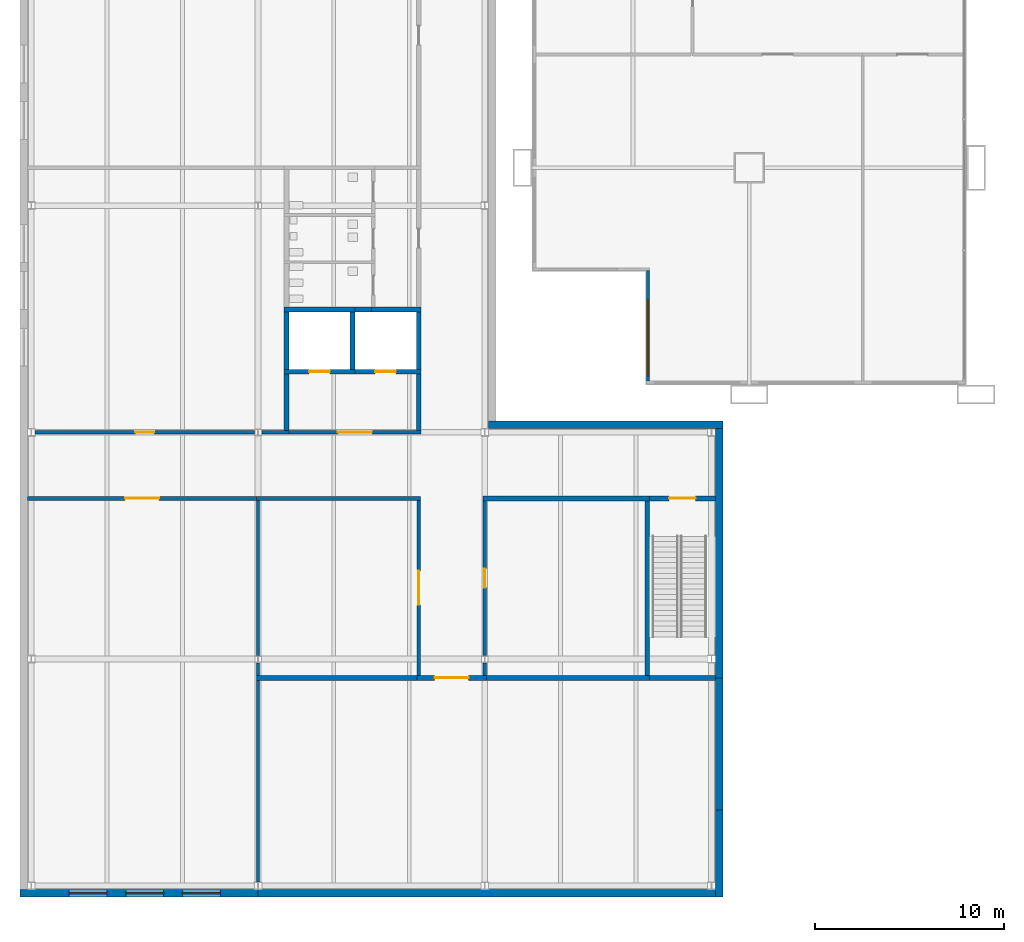
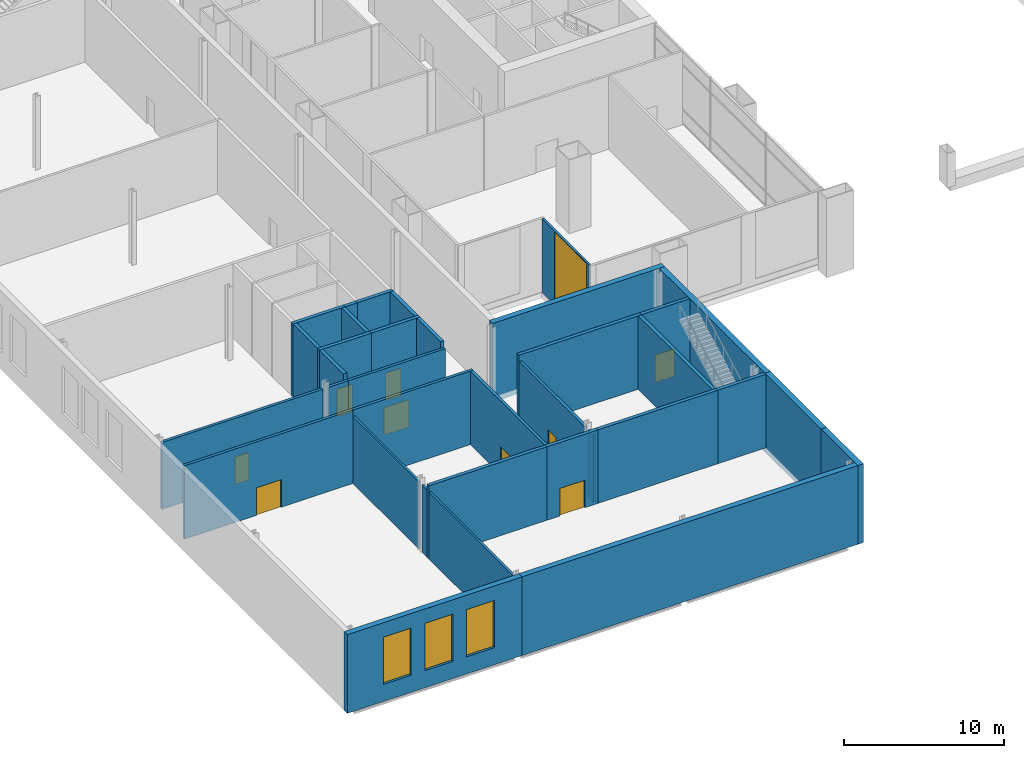
# One storey, part 16 of 25: 35 walls, 9 doors, 4 windows, 13 openings.
"""IFC4 building model written with IfcOpenShell, lengths in metres."""

from ifc_helpers import new_model, si_unit, direction, frame, frame_2d, origin, place, context, subcontext, project, spatial, rectangle, extrude, material, layer, layer_set, type_object, element, fill, save


model = new_model("IFC4")

# Units and contexts
model_context = context("Model", 3, precision=1e-05, world=origin(), true_north=direction((0.0, 1.0)))
body_context = subcontext(model_context, "Body", "Model", "MODEL_VIEW")
ifc_project = project(units=[si_unit("LENGTHUNIT", "METRE"), si_unit("AREAUNIT", "SQUARE_METRE"), si_unit("VOLUMEUNIT", "CUBIC_METRE"), si_unit("PLANEANGLEUNIT", "RADIAN"), si_unit("MASSUNIT", "GRAM", prefix="KILO")], contexts=[model_context])

# Site, building, storey
site_placement = place(None, origin())
site = spatial("IfcSite", under=ifc_project, at=site_placement, CompositionType="ELEMENT")
building_placement = place(site_placement, origin())
building = spatial("IfcBuilding", under=site, at=building_placement, Name="Kitamizu Gate Tower and Museum", CompositionType="ELEMENT")
storey_placement = place(building_placement, frame((0.0, 0.0, 18.0)))
storey = spatial("IfcBuildingStorey", under=building, at=storey_placement, Name="L03", CompositionType="ELEMENT", Elevation=18.0)

# Wall
ifc_material_1 = material(Name="Concrete Fc30", Category="concrete")
ifc_layer_1 = layer(ifc_material_1, 0.25)
ifc_layer_set_1 = layer_set([ifc_layer_1], Name="Concrete Fc30")
wall_type_1 = type_object("IfcWallType", Name="Museum RC core wall 250", PredefinedType="SHEAR", material=ifc_layer_set_1)
wall_1_placement = place(storey_placement, frame((-5.5, 1.324951171875, 0.0), z_axis=(0.0, 0.0, 1.0), x_axis=(0.0, 1.0, 0.0)))
element("IfcWall", 1, at=wall_1_placement, inside=storey, type_object=wall_type_1, Name="Core wall L03.13.1", PredefinedType="SHEAR", context=body_context, shape_type="SweptSolid", body=[
    extrude(rectangle(XDim=3.050048828125, YDim=0.25, at=frame_2d((1.52490234375, 0.0))), origin(), (0.0, 0.0, 1.0), 5.60009765625),
])

# Wall, opening, door
wall_2_placement = place(storey_placement, frame((6.72509765625, -5.5, 0.0), z_axis=(0.0, 0.0, 1.0), x_axis=(1.0, 0.0, 0.0)))
wall_2 = element("IfcWall", 2, at=wall_2_placement, inside=storey, type_object=wall_type_1, Name="Core wall L03.16.1", PredefinedType="SHEAR", context=body_context, shape_type="SweptSolid", body=[
    extrude(rectangle(XDim=3.474853515625, YDim=0.25, at=frame_2d((1.7373046875, 0.0))), origin(), (0.0, 0.0, 1.0), 5.60009765625),
])
opening_1_placement = place(wall_2_placement, frame((1.037109375, 0.0, 0.0)))
opening_1 = element("IfcOpeningElement", 3, at=opening_1_placement, cuts=wall_2, Name="Opening MUS-L03-001", PredefinedType="OPENING", context=body_context, shape_type="SweptSolid", body=[
    extrude(rectangle(XDim=1.39990234375, YDim=2.10009765625, at=frame_2d((0.699951171875, 1.050048828125))), frame((0.0, 0.135009765625, 0.0), z_axis=(0.0, -1.0, 0.0), x_axis=(1.0, 0.0, 0.0)), (0.0, 0.0, 1.0), 0.27001953125),
])
ifc_material_2 = material(Name="Timber leaf in hollow metal frame", Category="wood")
door_type_1 = type_object("IfcDoorType", Name="Museum door 1400x2100 FD60", OperationType="DOUBLE_DOOR_SINGLE_SWING", PredefinedType="DOOR", material=ifc_material_2)
door_1_placement = place(opening_1_placement, origin())
door_1 = element("IfcDoor", 4, at=door_1_placement, inside=storey, type_object=door_type_1, Name="Door Stair S", OperationType="DOUBLE_DOOR_SINGLE_SWING", OverallHeight=2.10009765625, OverallWidth=1.39990234375, PredefinedType="DOOR", context=body_context, shape_type="SweptSolid", body=[
    extrude(rectangle(XDim=1.39990234375, YDim=2.10009765625, at=frame_2d((0.699951171875, 1.050048828125))), frame((0.0, 0.02490234375, 0.0), z_axis=(0.0, -1.0, 0.0), x_axis=(1.0, 0.0, 0.0)), (0.0, 0.0, 1.0), 0.050048828125),
])
fill(opening_1, door_1)

wall_3_placement = place(storey_placement, frame((-12.625, 1.199951171875, 0.0), z_axis=(0.0, 0.0, 1.0), x_axis=(1.0, 0.0, 0.0)))
wall_3 = element("IfcWall", 5, at=wall_3_placement, inside=storey, type_object=wall_type_1, Name="Core wall L03.24.1", PredefinedType="SHEAR", context=body_context, shape_type="SweptSolid", body=[
    extrude(rectangle(XDim=3.75, YDim=0.25, at=frame_2d((1.875, 0.0))), origin(), (0.0, 0.0, 1.0), 5.60009765625),
])
opening_2_placement = place(wall_3_placement, frame((1.324951171875, 0.0, 0.0)))
opening_2 = element("IfcOpeningElement", 6, at=opening_2_placement, cuts=wall_3, Name="Opening MUS-L03-004", PredefinedType="OPENING", context=body_context, shape_type="SweptSolid", body=[
    extrude(rectangle(XDim=1.10009765625, YDim=2.10009765625, at=frame_2d((0.550048828125, 1.050048828125))), frame((0.0, 0.135009765625, 0.0), z_axis=(0.0, -1.0, 0.0), x_axis=(1.0, 0.0, 0.0)), (0.0, 0.0, 1.0), 0.27001953125),
])
ifc_material_3 = material(Name="Stainless steel SUS304", Category="steel")
door_type_2 = type_object("IfcDoorType", Name="Museum lift landing door 1100x2100", OperationType="SLIDING_TO_LEFT", PredefinedType="DOOR", material=ifc_material_3)
door_2_placement = place(opening_2_placement, origin())
door_2 = element("IfcDoor", 7, at=door_2_placement, inside=storey, type_object=door_type_2, Name="Lift landing door", OperationType="SLIDING_TO_LEFT", OverallHeight=2.10009765625, OverallWidth=1.10009765625, PredefinedType="DOOR", context=body_context, shape_type="SweptSolid", body=[
    extrude(rectangle(XDim=1.10009765625, YDim=2.10009765625, at=frame_2d((0.550048828125, 1.050048828125))), frame((0.0, 0.02490234375, 0.0), z_axis=(0.0, -1.0, 0.0), x_axis=(1.0, 0.0, 0.0)), (0.0, 0.0, 1.0), 0.050048828125),
])
fill(opening_2, door_2)

wall_4_placement = place(storey_placement, frame((-8.875, 1.199951171875, 0.0), z_axis=(0.0, 0.0, 1.0), x_axis=(1.0, 0.0, 0.0)))
wall_4 = element("IfcWall", 8, at=wall_4_placement, inside=storey, type_object=wall_type_1, Name="Core wall L03.25.1", PredefinedType="SHEAR", context=body_context, shape_type="SweptSolid", body=[
    extrude(rectangle(XDim=3.5, YDim=0.25, at=frame_2d((1.75, 0.0))), origin(), (0.0, 0.0, 1.0), 5.60009765625),
])
opening_3_placement = place(wall_4_placement, frame((1.074951171875, 0.0, 0.0)))
opening_3 = element("IfcOpeningElement", 9, at=opening_3_placement, cuts=wall_4, Name="Opening MUS-L03-005", PredefinedType="OPENING", context=body_context, shape_type="SweptSolid", body=[
    extrude(rectangle(XDim=1.10009765625, YDim=2.10009765625, at=frame_2d((0.550048828125, 1.050048828125))), frame((0.0, 0.135009765625, 0.0), z_axis=(0.0, -1.0, 0.0), x_axis=(1.0, 0.0, 0.0)), (0.0, 0.0, 1.0), 0.27001953125),
])
door_3_placement = place(opening_3_placement, origin())
door_3 = element("IfcDoor", 10, at=door_3_placement, inside=storey, type_object=door_type_2, Name="Lift landing door", OperationType="SLIDING_TO_LEFT", OverallHeight=2.10009765625, OverallWidth=1.10009765625, PredefinedType="DOOR", context=body_context, shape_type="SweptSolid", body=[
    extrude(rectangle(XDim=1.10009765625, YDim=2.10009765625, at=frame_2d((0.550048828125, 1.050048828125))), frame((0.0, 0.02490234375, 0.0), z_axis=(0.0, -1.0, 0.0), x_axis=(1.0, 0.0, 0.0)), (0.0, 0.0, 1.0), 0.050048828125),
])
fill(opening_3, door_3)

# Walls
for number, where, z_axis, x_axis, name in (
    (11, (-12.5, 1.324951171875, 0.0), (0.0, 0.0, 1.0), (0.0, 1.0, 0.0), "Core wall L03.28.1"),
    (12, (-9.0, 1.324951171875, 0.0), (0.0, 0.0, 1.0), (0.0, 1.0, 0.0), "Core wall L03.29.1"),
):
    element("IfcWall", number, at=place(storey_placement, frame(where, z_axis=z_axis, x_axis=x_axis)), inside=storey, type_object=wall_type_1, Name=name, PredefinedType="SHEAR", context=body_context, shape_type="SweptSolid", body=[
        extrude(rectangle(XDim=3.050048828125, YDim=0.25, at=frame_2d((1.52490234375, 0.0))), origin(), (0.0, 0.0, 1.0), 5.60009765625),
    ])
wall_5_placement = place(storey_placement, frame((-12.625, 4.5, 0.0), z_axis=(0.0, 0.0, 1.0), x_axis=(1.0, 0.0, 0.0)))
element("IfcWall", 13, at=wall_5_placement, inside=storey, type_object=wall_type_1, Name="Core wall L03.30.1", PredefinedType="SHEAR", context=body_context, shape_type="SweptSolid", body=[
    extrude(rectangle(XDim=3.75, YDim=0.25, at=frame_2d((1.875, 0.0))), origin(), (0.0, 0.0, 1.0), 5.60009765625),
])
wall_6_placement = place(storey_placement, frame((-8.0, 4.5, 0.0), z_axis=(0.0, 0.0, 1.0), x_axis=(1.0, 0.0, 0.0)))
element("IfcWall", 14, at=wall_6_placement, inside=storey, type_object=wall_type_1, Name="Core wall L03.31.1", PredefinedType="SHEAR", context=body_context, shape_type="SweptSolid", body=[
    extrude(rectangle(XDim=2.625, YDim=0.25, at=frame_2d((1.3125, 0.0))), origin(), (0.0, 0.0, 1.0), 5.60009765625),
])
wall_7_placement = place(storey_placement, frame((-8.875, 4.5, 0.0), z_axis=(0.0, 0.0, 1.0), x_axis=(1.0, 0.0, 0.0)))
element("IfcWall", 15, at=wall_7_placement, inside=storey, type_object=wall_type_1, Name="Core wall L03.32.1", PredefinedType="SHEAR", context=body_context, shape_type="SweptSolid", body=[
    extrude(rectangle(XDim=0.875, YDim=0.25, at=frame_2d((0.4375, 0.0))), origin(), (0.0, 0.0, 1.0), 5.60009765625),
])
wall_8_placement = place(storey_placement, frame((6.72509765625, -15.0, 0.0), z_axis=(0.0, 0.0, 1.0), x_axis=(1.0, 0.0, 0.0)))
element("IfcWall", 16, at=wall_8_placement, inside=storey, type_object=wall_type_1, Name="Core wall L03.35.1", PredefinedType="SHEAR", context=body_context, shape_type="SweptSolid", body=[
    extrude(rectangle(XDim=3.474853515625, YDim=0.25, at=frame_2d((1.7373046875, 0.0))), origin(), (0.0, 0.0, 1.0), 5.60009765625),
])
wall_9_placement = place(storey_placement, frame((6.60009765625, -14.875, 0.0), z_axis=(0.0, 0.0, 1.0), x_axis=(0.0, 1.0, 0.0)))
element("IfcWall", 17, at=wall_9_placement, inside=storey, type_object=wall_type_1, Name="Core wall L03.36.1", PredefinedType="SHEAR", context=body_context, shape_type="SweptSolid", body=[
    extrude(rectangle(XDim=9.25, YDim=0.25, at=frame_2d((4.625, 0.0))), origin(), (0.0, 0.0, 1.0), 5.60009765625),
])
ifc_material_4 = material(Name="Concrete Fc30 precast", Category="concrete")
ifc_layer_2 = layer(ifc_material_4, 0.39990234375)
ifc_layer_set_2 = layer_set([ifc_layer_2], Name="Concrete Fc30 precast")
wall_type_2 = type_object("IfcWallType", Name="Museum cladding wall 400", PredefinedType="STANDARD", material=ifc_layer_set_2)
wall_10_placement = place(storey_placement, frame((-14.0, -26.39990234375, -0.39990234375), z_axis=(0.0, 0.0, 1.0), x_axis=(1.0, 0.0, 0.0)))
element("IfcWall", 18, at=wall_10_placement, inside=storey, type_object=wall_type_2, Name="Cladding wall L03.1", PredefinedType="STANDARD", context=body_context, shape_type="SweptSolid", body=[
    extrude(rectangle(XDim=24.199951171875, YDim=0.39990234375, at=frame_2d((12.10009765625, 0.0))), origin(), (0.0, 0.0, 1.0), 6.0),
])
wall_11_placement = place(storey_placement, frame((10.39990234375, -22.0, -0.39990234375), z_axis=(0.0, 0.0, 1.0), x_axis=(0.0, 1.0, 0.0)))
element("IfcWall", 19, at=wall_11_placement, inside=storey, type_object=wall_type_2, Name="Cladding wall L03.2", PredefinedType="STANDARD", context=body_context, shape_type="SweptSolid", body=[
    extrude(rectangle(XDim=7.0, YDim=0.39990234375, at=frame_2d((3.5, 0.0))), origin(), (0.0, 0.0, 1.0), 6.0),
])

# Wall, openings, windows
wall_12_placement = place(storey_placement, frame((-26.60009765625, -26.39990234375, -0.39990234375), z_axis=(0.0, 0.0, 1.0), x_axis=(1.0, 0.0, 0.0)))
wall_12 = element("IfcWall", 20, at=wall_12_placement, inside=storey, type_object=wall_type_2, Name="Cladding wall L03.3", PredefinedType="STANDARD", context=body_context, shape_type="SweptSolid", body=[
    extrude(rectangle(XDim=12.60009765625, YDim=0.39990234375, at=frame_2d((6.300048828125, 0.0))), origin(), (0.0, 0.0, 1.0), 6.0),
])
opening_4_placement = place(wall_12_placement, frame((2.60009765625, 0.0, 1.300048828125)))
opening_4 = element("IfcOpeningElement", 21, at=opening_4_placement, cuts=wall_12, Name="Opening MWN1", PredefinedType="OPENING", context=body_context, shape_type="SweptSolid", body=[
    extrude(rectangle(XDim=2.0, YDim=3.60009765625, at=frame_2d((1.0, 1.800048828125))), frame((0.0, 0.2099609375, 0.0), z_axis=(0.0, -1.0, 0.0), x_axis=(1.0, 0.0, 0.0)), (0.0, 0.0, 1.0), 0.419921875),
])
opening_5_placement = place(wall_12_placement, frame((5.60009765625, 0.0, 1.300048828125)))
opening_5 = element("IfcOpeningElement", 22, at=opening_5_placement, cuts=wall_12, Name="Opening MWN1", PredefinedType="OPENING", context=body_context, shape_type="SweptSolid", body=[
    extrude(rectangle(XDim=2.0, YDim=3.60009765625, at=frame_2d((1.0, 1.800048828125))), frame((0.0, 0.2099609375, 0.0), z_axis=(0.0, -1.0, 0.0), x_axis=(1.0, 0.0, 0.0)), (0.0, 0.0, 1.0), 0.419921875),
])
opening_6_placement = place(wall_12_placement, frame((8.60009765625, 0.0, 1.300048828125)))
opening_6 = element("IfcOpeningElement", 23, at=opening_6_placement, cuts=wall_12, Name="Opening MWN1", PredefinedType="OPENING", context=body_context, shape_type="SweptSolid", body=[
    extrude(rectangle(XDim=2.0, YDim=3.60009765625, at=frame_2d((1.0, 1.800048828125))), frame((0.0, 0.2099609375, 0.0), z_axis=(0.0, -1.0, 0.0), x_axis=(1.0, 0.0, 0.0)), (0.0, 0.0, 1.0), 0.419921875),
])
ifc_material_5 = material(Name="Bronze anodised aluminium frame, tinted triple glazing", Category="aluminium")
window_type_1 = type_object("IfcWindowType", Name="Museum window 2000x3600", PartitioningType="SINGLE_PANEL", PredefinedType="WINDOW", material=ifc_material_5)
window_1_placement = place(opening_4_placement, origin())
window_1 = element("IfcWindow", 24, at=window_1_placement, inside=storey, type_object=window_type_1, Name="Window", OverallHeight=3.60009765625, OverallWidth=2.0, PartitioningType="SINGLE_PANEL", PredefinedType="WINDOW", context=body_context, shape_type="SweptSolid", body=[
    extrude(rectangle(XDim=2.0, YDim=3.60009765625, at=frame_2d((1.0, 1.800048828125))), frame((0.0, 0.030029296875, 0.0), z_axis=(0.0, -1.0, 0.0), x_axis=(1.0, 0.0, 0.0)), (0.0, 0.0, 1.0), 0.06005859375),
])
fill(opening_4, window_1)
window_2_placement = place(opening_5_placement, origin())
window_2 = element("IfcWindow", 25, at=window_2_placement, inside=storey, type_object=window_type_1, Name="Window", OverallHeight=3.60009765625, OverallWidth=2.0, PartitioningType="SINGLE_PANEL", PredefinedType="WINDOW", context=body_context, shape_type="SweptSolid", body=[
    extrude(rectangle(XDim=2.0, YDim=3.60009765625, at=frame_2d((1.0, 1.800048828125))), frame((0.0, 0.030029296875, 0.0), z_axis=(0.0, -1.0, 0.0), x_axis=(1.0, 0.0, 0.0)), (0.0, 0.0, 1.0), 0.06005859375),
])
fill(opening_5, window_2)
window_3_placement = place(opening_6_placement, origin())
window_3 = element("IfcWindow", 26, at=window_3_placement, inside=storey, type_object=window_type_1, Name="Window", OverallHeight=3.60009765625, OverallWidth=2.0, PartitioningType="SINGLE_PANEL", PredefinedType="WINDOW", context=body_context, shape_type="SweptSolid", body=[
    extrude(rectangle(XDim=2.0, YDim=3.60009765625, at=frame_2d((1.0, 1.800048828125))), frame((0.0, 0.030029296875, 0.0), z_axis=(0.0, -1.0, 0.0), x_axis=(1.0, 0.0, 0.0)), (0.0, 0.0, 1.0), 0.06005859375),
])
fill(opening_6, window_3)

# Walls
wall_13_placement = place(storey_placement, frame((10.39990234375, -26.60009765625, -0.39990234375), z_axis=(0.0, 0.0, 1.0), x_axis=(0.0, 1.0, 0.0)))
element("IfcWall", 27, at=wall_13_placement, inside=storey, type_object=wall_type_2, Name="Cladding wall L03.4", PredefinedType="STANDARD", context=body_context, shape_type="SweptSolid", body=[
    extrude(rectangle(XDim=4.60009765625, YDim=0.39990234375, at=frame_2d((2.300048828125, 0.0))), origin(), (0.0, 0.0, 1.0), 6.0),
])
wall_14_placement = place(storey_placement, frame((10.39990234375, -15.0, -0.39990234375), z_axis=(0.0, 0.0, 1.0), x_axis=(0.0, 1.0, 0.0)))
element("IfcWall", 28, at=wall_14_placement, inside=storey, type_object=wall_type_2, Name="Cladding wall L03.6", PredefinedType="STANDARD", context=body_context, shape_type="SweptSolid", body=[
    extrude(rectangle(XDim=13.199951171875, YDim=0.39990234375, at=frame_2d((6.60009765625, 0.0))), origin(), (0.0, 0.0, 1.0), 6.0),
])
wall_15_placement = place(storey_placement, frame((-1.800048828125, -1.60009765625, -0.39990234375), z_axis=(0.0, 0.0, 1.0), x_axis=(1.0, 0.0, 0.0)))
element("IfcWall", 29, at=wall_15_placement, inside=storey, type_object=wall_type_2, Name="Cladding wall L03.7", PredefinedType="STANDARD", context=body_context, shape_type="SweptSolid", body=[
    extrude(rectangle(XDim=12.400146484375, YDim=0.39990234375, at=frame_2d((6.2001953125, 0.0))), origin(), (0.0, 0.0, 1.0), 6.0),
])

# Wall, opening, door
ifc_material_6 = material(Name="Gypsum board on galvanised stud")
ifc_layer_3 = layer(ifc_material_6, 0.199951171875)
ifc_layer_set_3 = layer_set([ifc_layer_3], Name="Gypsum board on galvanised stud")
wall_type_3 = type_object("IfcWallType", Name="Museum fire rated partition 200", PredefinedType="PARTITIONING", material=ifc_layer_set_3)
wall_16_placement = place(storey_placement, frame((-5.5, -14.875, 0.0), z_axis=(0.0, 0.0, 1.0), x_axis=(0.0, 1.0, 0.0)))
wall_16 = element("IfcWall", 30, at=wall_16_placement, inside=storey, type_object=wall_type_3, Name="Fire-rated partition L03.4.1", PredefinedType="PARTITIONING", context=body_context, shape_type="SweptSolid", body=[
    extrude(rectangle(XDim=9.27490234375, YDim=0.199951171875, at=frame_2d((4.637451171875, 0.0))), origin(), (0.0, 0.0, 1.0), 5.60009765625),
])
opening_7_placement = place(wall_16_placement, frame((3.738037109375, 0.0, 0.0)))
opening_7 = element("IfcOpeningElement", 31, at=opening_7_placement, cuts=wall_16, Name="Opening MUS-L03-012", PredefinedType="OPENING", context=body_context, shape_type="SweptSolid", body=[
    extrude(rectangle(XDim=1.800048828125, YDim=2.10009765625, at=frame_2d((0.89990234375, 1.050048828125))), frame((0.0, 0.10986328125, 0.0), z_axis=(0.0, -1.0, 0.0), x_axis=(1.0, 0.0, 0.0)), (0.0, 0.0, 1.0), 0.219970703125),
])
ifc_material_7 = material(Name="Timber leaf in hollow metal frame", Category="wood")
door_type_3 = type_object("IfcDoorType", Name="Museum door 1800x2100 FD60", OperationType="DOUBLE_DOOR_SINGLE_SWING", PredefinedType="DOOR", material=ifc_material_7)
door_4_placement = place(opening_7_placement, origin())
door_4 = element("IfcDoor", 32, at=door_4_placement, inside=storey, type_object=door_type_3, Name="Door Archive", OperationType="DOUBLE_DOOR_SINGLE_SWING", OverallHeight=2.10009765625, OverallWidth=1.800048828125, PredefinedType="DOOR", context=body_context, shape_type="SweptSolid", body=[
    extrude(rectangle(XDim=1.800048828125, YDim=2.10009765625, at=frame_2d((0.89990234375, 1.050048828125))), frame((0.0, 0.02490234375, 0.0), z_axis=(0.0, -1.0, 0.0), x_axis=(1.0, 0.0, 0.0)), (0.0, 0.0, 1.0), 0.050048828125),
])
fill(opening_7, door_4)

# Wall
wall_17_placement = place(storey_placement, frame((-14.074951171875, -5.5, 0.0), z_axis=(0.0, 0.0, 1.0), x_axis=(1.0, 0.0, 0.0)))
element("IfcWall", 33, at=wall_17_placement, inside=storey, type_object=wall_type_3, Name="Fire-rated partition L03.5.1", PredefinedType="PARTITIONING", context=body_context, shape_type="SweptSolid", body=[
    extrude(rectangle(XDim=8.675048828125, YDim=0.199951171875, at=frame_2d((4.33740234375, 0.0))), origin(), (0.0, 0.0, 1.0), 5.60009765625),
])

# Wall, opening, door
wall_18_placement = place(storey_placement, frame((-25.800048828125, -2.0, 0.0), z_axis=(0.0, 0.0, 1.0), x_axis=(1.0, 0.0, 0.0)))
wall_18 = element("IfcWall", 34, at=wall_18_placement, inside=storey, type_object=wall_type_3, Name="Fire-rated partition L03.6.1", PredefinedType="PARTITIONING", context=body_context, shape_type="SweptSolid", body=[
    extrude(rectangle(XDim=11.60009765625, YDim=0.199951171875, at=frame_2d((5.800048828125, 0.0))), origin(), (0.0, 0.0, 1.0), 5.112060546875),
])
opening_8_placement = place(wall_18_placement, frame((5.300048828125, 0.0, 0.0)))
opening_8 = element("IfcOpeningElement", 35, at=opening_8_placement, cuts=wall_18, Name="Opening MUS-L03-014", PredefinedType="OPENING", context=body_context, shape_type="SweptSolid", body=[
    extrude(rectangle(XDim=1.0, YDim=2.10009765625, at=frame_2d((0.5, 1.050048828125))), frame((0.0, 0.10986328125, 0.0), z_axis=(0.0, -1.0, 0.0), x_axis=(1.0, 0.0, 0.0)), (0.0, 0.0, 1.0), 0.219970703125),
])
ifc_material_8 = material(Name="Timber leaf in hollow metal frame", Category="wood")
door_type_4 = type_object("IfcDoorType", Name="Museum door 1000x2100 FD60", OperationType="NOTDEFINED", PredefinedType="DOOR", material=ifc_material_8)
door_5_placement = place(opening_8_placement, origin())
door_5 = element("IfcDoor", 36, at=door_5_placement, inside=storey, type_object=door_type_4, Name="Door Curatorial office", OperationType="SINGLE_SWING_LEFT", OverallHeight=2.10009765625, OverallWidth=1.0, PredefinedType="DOOR", context=body_context, shape_type="SweptSolid", body=[
    extrude(rectangle(XDim=1.0, YDim=2.10009765625, at=frame_2d((0.5, 1.050048828125))), frame((0.0, 0.02490234375, 0.0), z_axis=(0.0, -1.0, 0.0), x_axis=(1.0, 0.0, 0.0)), (0.0, 0.0, 1.0), 0.050048828125),
])
fill(opening_8, door_5)

# Wall
wall_19_placement = place(storey_placement, frame((-13.800048828125, -2.0, 0.0), z_axis=(0.0, 0.0, 1.0), x_axis=(1.0, 0.0, 0.0)))
element("IfcWall", 37, at=wall_19_placement, inside=storey, type_object=wall_type_3, Name="Fire-rated partition L03.6.2", PredefinedType="PARTITIONING", context=body_context, shape_type="SweptSolid", body=[
    extrude(rectangle(XDim=1.425048828125, YDim=0.199951171875, at=frame_2d((0.71240234375, 0.0))), origin(), (0.0, 0.0, 1.0), 5.112060546875),
])

# Wall, opening, door
wall_20_placement = place(storey_placement, frame((-26.199951171875, -5.5, 0.0), z_axis=(0.0, 0.0, 1.0), x_axis=(1.0, 0.0, 0.0)))
wall_20 = element("IfcWall", 38, at=wall_20_placement, inside=storey, type_object=wall_type_3, Name="Fire-rated partition L03.8.1", PredefinedType="PARTITIONING", context=body_context, shape_type="SweptSolid", body=[
    extrude(rectangle(XDim=12.125, YDim=0.199951171875, at=frame_2d((6.0625, 0.0))), origin(), (0.0, 0.0, 1.0), 5.60009765625),
])
opening_9_placement = place(wall_20_placement, frame((5.162109375, 0.0, 0.0)))
opening_9 = element("IfcOpeningElement", 39, at=opening_9_placement, cuts=wall_20, Name="Opening MUS-L03-011", PredefinedType="OPENING", context=body_context, shape_type="SweptSolid", body=[
    extrude(rectangle(XDim=1.800048828125, YDim=2.10009765625, at=frame_2d((0.89990234375, 1.050048828125))), frame((0.0, 0.10986328125, 0.0), z_axis=(0.0, -1.0, 0.0), x_axis=(1.0, 0.0, 0.0)), (0.0, 0.0, 1.0), 0.219970703125),
])
door_6_placement = place(opening_9_placement, origin())
door_6 = element("IfcDoor", 40, at=door_6_placement, inside=storey, type_object=door_type_3, Name="Door Library reading room", OperationType="DOUBLE_DOOR_SINGLE_SWING", OverallHeight=2.10009765625, OverallWidth=1.800048828125, PredefinedType="DOOR", context=body_context, shape_type="SweptSolid", body=[
    extrude(rectangle(XDim=1.800048828125, YDim=2.10009765625, at=frame_2d((0.89990234375, 1.050048828125))), frame((0.0, 0.02490234375, 0.0), z_axis=(0.0, -1.0, 0.0), x_axis=(1.0, 0.0, 0.0)), (0.0, 0.0, 1.0), 0.050048828125),
])
fill(opening_9, door_6)

wall_21_placement = place(storey_placement, frame((-12.375, -2.0, 0.0), z_axis=(0.0, 0.0, 1.0), x_axis=(1.0, 0.0, 0.0)))
wall_21 = element("IfcWall", 41, at=wall_21_placement, inside=storey, type_object=wall_type_3, Name="Fire-rated partition L03.9.1", PredefinedType="PARTITIONING", context=body_context, shape_type="SweptSolid", body=[
    extrude(rectangle(XDim=7.0, YDim=0.199951171875, at=frame_2d((3.5, 0.0))), origin(), (0.0, 0.0, 1.0), 5.112060546875),
])
opening_10_placement = place(wall_21_placement, frame((2.60009765625, 0.0, 0.0)))
opening_10 = element("IfcOpeningElement", 42, at=opening_10_placement, cuts=wall_21, Name="Opening MUS-L03-003", PredefinedType="OPENING", context=body_context, shape_type="SweptSolid", body=[
    extrude(rectangle(XDim=1.800048828125, YDim=2.10009765625, at=frame_2d((0.89990234375, 1.050048828125))), frame((0.0, 0.10986328125, 0.0), z_axis=(0.0, -1.0, 0.0), x_axis=(1.0, 0.0, 0.0)), (0.0, 0.0, 1.0), 0.219970703125),
])
door_7_placement = place(opening_10_placement, origin())
door_7 = element("IfcDoor", 43, at=door_7_placement, inside=storey, type_object=door_type_3, Name="Door Lift lobby", OperationType="DOUBLE_DOOR_SINGLE_SWING", OverallHeight=2.10009765625, OverallWidth=1.800048828125, PredefinedType="DOOR", context=body_context, shape_type="SweptSolid", body=[
    extrude(rectangle(XDim=1.800048828125, YDim=2.10009765625, at=frame_2d((0.89990234375, 1.050048828125))), frame((0.0, 0.02490234375, 0.0), z_axis=(0.0, -1.0, 0.0), x_axis=(1.0, 0.0, 0.0)), (0.0, 0.0, 1.0), 0.050048828125),
])
fill(opening_10, door_7)

# Wall
wall_22_placement = place(storey_placement, frame((-2.0, -14.875, 0.0), z_axis=(0.0, 0.0, 1.0), x_axis=(0.0, 1.0, 0.0)))
element("IfcWall", 44, at=wall_22_placement, inside=storey, type_object=wall_type_3, Name="Fire-rated partition L03.11.1", PredefinedType="PARTITIONING", context=body_context, shape_type="SweptSolid", body=[
    extrude(rectangle(XDim=0.675048828125, YDim=0.199951171875, at=frame_2d((0.33740234375, 0.0))), origin(), (0.0, 0.0, 1.0), 5.112060546875),
])

# Wall, opening, door
wall_23_placement = place(storey_placement, frame((-2.0, -13.800048828125, 0.0), z_axis=(0.0, 0.0, 1.0), x_axis=(0.0, 1.0, 0.0)))
wall_23 = element("IfcWall", 45, at=wall_23_placement, inside=storey, type_object=wall_type_3, Name="Fire-rated partition L03.11.2", PredefinedType="PARTITIONING", context=body_context, shape_type="SweptSolid", body=[
    extrude(rectangle(XDim=8.175048828125, YDim=0.199951171875, at=frame_2d((4.08740234375, 0.0))), origin(), (0.0, 0.0, 1.0), 5.112060546875),
])
opening_11_placement = place(wall_23_placement, frame((3.587890625, 0.0, 0.0)))
opening_11 = element("IfcOpeningElement", 46, at=opening_11_placement, cuts=wall_23, Name="Opening MUS-L03-013", PredefinedType="OPENING", context=body_context, shape_type="SweptSolid", body=[
    extrude(rectangle(XDim=1.0, YDim=2.10009765625, at=frame_2d((0.5, 1.050048828125))), frame((0.0, 0.10986328125, 0.0), z_axis=(0.0, -1.0, 0.0), x_axis=(1.0, 0.0, 0.0)), (0.0, 0.0, 1.0), 0.219970703125),
])
door_8_placement = place(opening_11_placement, frame((1.0, 0.0, 0.0), x_axis=(-1.0, 0.0, 0.0)))
door_8 = element("IfcDoor", 47, at=door_8_placement, inside=storey, type_object=door_type_4, Name="Door Meeting room", OperationType="SINGLE_SWING_LEFT", OverallHeight=2.10009765625, OverallWidth=1.0, PredefinedType="DOOR", context=body_context, shape_type="SweptSolid", body=[
    extrude(rectangle(XDim=1.0, YDim=2.10009765625, at=frame_2d((0.5, 1.050048828125))), frame((0.0, 0.02490234375, 0.0), z_axis=(0.0, -1.0, 0.0), x_axis=(1.0, 0.0, 0.0)), (0.0, 0.0, 1.0), 0.050048828125),
])
fill(opening_11, door_8)

ifc_material_9 = material(Name="Gypsum board on galvanised stud")
ifc_layer_4 = layer(ifc_material_9, 0.25)
ifc_layer_set_4 = layer_set([ifc_layer_4], Name="Gypsum board on galvanised stud")
wall_type_4 = type_object("IfcWallType", Name="Museum fire rated partition 250", PredefinedType="PARTITIONING", material=ifc_layer_set_4)
wall_24_placement = place(storey_placement, frame((-5.60009765625, -15.0, 0.0), z_axis=(0.0, 0.0, 1.0), x_axis=(1.0, 0.0, 0.0)))
wall_24 = element("IfcWall", 48, at=wall_24_placement, inside=storey, type_object=wall_type_4, Name="Fire-rated partition L03.7.1", PredefinedType="PARTITIONING", context=body_context, shape_type="SweptSolid", body=[
    extrude(rectangle(XDim=3.7001953125, YDim=0.25, at=frame_2d((1.85009765625, 0.0))), origin(), (0.0, 0.0, 1.0), 5.60009765625),
])
opening_12_placement = place(wall_24_placement, frame((0.949951171875, 0.0, 0.0)))
opening_12 = element("IfcOpeningElement", 49, at=opening_12_placement, cuts=wall_24, Name="Opening MUS-L03-010", PredefinedType="OPENING", context=body_context, shape_type="SweptSolid", body=[
    extrude(rectangle(XDim=1.800048828125, YDim=2.10009765625, at=frame_2d((0.89990234375, 1.050048828125))), frame((0.0, 0.135009765625, 0.0), z_axis=(0.0, -1.0, 0.0), x_axis=(1.0, 0.0, 0.0)), (0.0, 0.0, 1.0), 0.27001953125),
])
door_9_placement = place(opening_12_placement, origin())
door_9 = element("IfcDoor", 50, at=door_9_placement, inside=storey, type_object=door_type_3, Name="Door Exhibition gallery 4", OperationType="DOUBLE_DOOR_SINGLE_SWING", OverallHeight=2.10009765625, OverallWidth=1.800048828125, PredefinedType="DOOR", context=body_context, shape_type="SweptSolid", body=[
    extrude(rectangle(XDim=1.800048828125, YDim=2.10009765625, at=frame_2d((0.89990234375, 1.050048828125))), frame((0.0, 0.02490234375, 0.0), z_axis=(0.0, -1.0, 0.0), x_axis=(1.0, 0.0, 0.0)), (0.0, 0.0, 1.0), 0.050048828125),
])
fill(opening_12, door_9)

# Walls
wall_25_placement = place(storey_placement, frame((-5.5, -1.89990234375, 0.0), z_axis=(0.0, 0.0, 1.0), x_axis=(0.0, 1.0, 0.0)))
element("IfcWall", 51, at=wall_25_placement, inside=storey, type_object=wall_type_4, Name="Fire-rated partition L03.10.1", PredefinedType="PARTITIONING", context=body_context, shape_type="SweptSolid", body=[
    extrude(rectangle(XDim=2.974853515625, YDim=0.25, at=frame_2d((1.4873046875, 0.0))), origin(), (0.0, 0.0, 1.0), 5.60009765625),
])
wall_26_placement = place(storey_placement, frame((-2.10009765625, -5.5, 0.0), z_axis=(0.0, 0.0, 1.0), x_axis=(1.0, 0.0, 0.0)))
element("IfcWall", 52, at=wall_26_placement, inside=storey, type_object=wall_type_4, Name="Fire-rated partition L03.12.1", PredefinedType="PARTITIONING", context=body_context, shape_type="SweptSolid", body=[
    extrude(rectangle(XDim=8.8251953125, YDim=0.25, at=frame_2d((4.41259765625, 0.0))), origin(), (0.0, 0.0, 1.0), 5.60009765625),
])
wall_27_placement = place(storey_placement, frame((-12.5, -1.89990234375, 0.0), z_axis=(0.0, 0.0, 1.0), x_axis=(0.0, 1.0, 0.0)))
element("IfcWall", 53, at=wall_27_placement, inside=storey, type_object=wall_type_4, Name="Fire-rated partition L03.23.1", PredefinedType="PARTITIONING", context=body_context, shape_type="SweptSolid", body=[
    extrude(rectangle(XDim=2.974853515625, YDim=0.25, at=frame_2d((1.4873046875, 0.0))), origin(), (0.0, 0.0, 1.0), 5.60009765625),
])
ifc_material_10 = material(Name="Gypsum board on galvanised stud")
ifc_layer_5 = layer(ifc_material_10, 0.14990234375)
ifc_layer_set_5 = layer_set([ifc_layer_5], Name="Gypsum board on galvanised stud")
wall_type_5 = type_object("IfcWallType", Name="Museum partition 150", PredefinedType="PARTITIONING", material=ifc_layer_set_5)
wall_28_placement = place(storey_placement, frame((-14.0, -25.800048828125, 0.0), z_axis=(0.0, 0.0, 1.0), x_axis=(0.0, 1.0, 0.0)))
element("IfcWall", 54, at=wall_28_placement, inside=storey, type_object=wall_type_5, Name="Partition L03.20.1", PredefinedType="PARTITIONING", context=body_context, shape_type="SweptSolid", body=[
    extrude(rectangle(XDim=10.675048828125, YDim=0.14990234375, at=frame_2d((5.33740234375, 0.0))), origin(), (0.0, 0.0, 1.0), 5.112060546875),
])
wall_29_placement = place(storey_placement, frame((-14.0, -14.875, 0.0), z_axis=(0.0, 0.0, 1.0), x_axis=(0.0, 1.0, 0.0)))
element("IfcWall", 55, at=wall_29_placement, inside=storey, type_object=wall_type_5, Name="Partition L03.22.1", PredefinedType="PARTITIONING", context=body_context, shape_type="SweptSolid", body=[
    extrude(rectangle(XDim=0.675048828125, YDim=0.14990234375, at=frame_2d((0.33740234375, 0.0))), origin(), (0.0, 0.0, 1.0), 5.112060546875),
])
wall_30_placement = place(storey_placement, frame((-14.0, -13.800048828125, 0.0), z_axis=(0.0, 0.0, 1.0), x_axis=(0.0, 1.0, 0.0)))
element("IfcWall", 56, at=wall_30_placement, inside=storey, type_object=wall_type_5, Name="Partition L03.22.2", PredefinedType="PARTITIONING", context=body_context, shape_type="SweptSolid", body=[
    extrude(rectangle(XDim=8.199951171875, YDim=0.14990234375, at=frame_2d((4.10009765625, 0.0))), origin(), (0.0, 0.0, 1.0), 5.112060546875),
])
ifc_material_11 = material(Name="Gypsum board on galvanised stud")
ifc_layer_6 = layer(ifc_material_11, 0.25)
ifc_layer_set_6 = layer_set([ifc_layer_6], Name="Gypsum board on galvanised stud")
wall_type_6 = type_object("IfcWallType", Name="Museum partition 250", PredefinedType="PARTITIONING", material=ifc_layer_set_6)
wall_31_placement = place(storey_placement, frame((-14.074951171875, -15.0, 0.0), z_axis=(0.0, 0.0, 1.0), x_axis=(1.0, 0.0, 0.0)))
element("IfcWall", 57, at=wall_31_placement, inside=storey, type_object=wall_type_6, Name="Partition L03.19.1", PredefinedType="PARTITIONING", context=body_context, shape_type="SweptSolid", body=[
    extrude(rectangle(XDim=8.474853515625, YDim=0.25, at=frame_2d((4.2373046875, 0.0))), origin(), (0.0, 0.0, 1.0), 5.60009765625),
])
wall_32_placement = place(storey_placement, frame((-1.89990234375, -15.0, 0.0), z_axis=(0.0, 0.0, 1.0), x_axis=(1.0, 0.0, 0.0)))
element("IfcWall", 58, at=wall_32_placement, inside=storey, type_object=wall_type_6, Name="Partition L03.21.1", PredefinedType="PARTITIONING", context=body_context, shape_type="SweptSolid", body=[
    extrude(rectangle(XDim=8.625, YDim=0.25, at=frame_2d((4.3125, 0.0))), origin(), (0.0, 0.0, 1.0), 5.60009765625),
])

# Wall, opening, window
ifc_material_12 = material(Name="Bronze anodised aluminium frame with insulated spandrel and tinted glass", Category="aluminium")
ifc_layer_7 = layer(ifc_material_12, 0.14990234375)
ifc_layer_set_7 = layer_set([ifc_layer_7], Name="Bronze anodised aluminium frame with insulated spandrel and tinted glass")
wall_type_7 = type_object("IfcWallType", Name="WINDOW WALL 150 BRONZE FRAME EI 60", PredefinedType="ELEMENTEDWALL", material=ifc_layer_set_7)
wall_33_placement = place(storey_placement, frame((6.635009765625, 0.7099609375, 0.0), z_axis=(0.0, 0.0, 1.0), x_axis=(0.0, 1.0, 0.0)))
wall_33 = element("IfcWall", 59, at=wall_33_placement, inside=storey, type_object=wall_type_7, Name="Window wall west L03", PredefinedType="ELEMENTEDWALL", context=body_context, shape_type="SweptSolid", body=[
    extrude(rectangle(XDim=5.85009765625, YDim=0.14990234375, at=frame_2d((2.925048828125, 0.0))), origin(), (0.0, 0.0, 1.0), 5.60009765625),
])
opening_13_placement = place(wall_33_placement, frame((0.2900390625, 0.0, 0.449951171875)))
opening_13 = element("IfcOpeningElement", 60, at=opening_13_placement, cuts=wall_33, Name="Opening W22", PredefinedType="OPENING", context=body_context, shape_type="SweptSolid", body=[
    extrude(rectangle(XDim=4.0, YDim=5.10009765625, at=frame_2d((2.0, 2.550048828125))), frame((0.0, 0.0849609375, 0.0), z_axis=(0.0, -1.0, 0.0), x_axis=(1.0, 0.0, 0.0)), (0.0, 0.0, 1.0), 0.169921875),
])
ifc_material_13 = material(Name="Bronze anodised aluminium frame, tinted triple glazing", Category="aluminium")
window_type_2 = type_object("IfcWindowType", Name="WINDOW 4000 x 5100 SILL 450", PartitioningType="SINGLE_PANEL", PredefinedType="WINDOW", material=ifc_material_13)
window_4_placement = place(opening_13_placement, origin())
window_4 = element("IfcWindow", 61, at=window_4_placement, inside=storey, type_object=window_type_2, Name="Window W22 L03", OverallHeight=5.10009765625, OverallWidth=4.0, PartitioningType="SINGLE_PANEL", PredefinedType="WINDOW", context=body_context, shape_type="SweptSolid", body=[
    extrude(rectangle(XDim=4.0, YDim=5.10009765625, at=frame_2d((2.0, 2.550048828125))), frame((0.0, 0.030029296875, 0.0), z_axis=(0.0, -1.0, 0.0), x_axis=(1.0, 0.0, 0.0)), (0.0, 0.0, 1.0), 0.06005859375),
])
fill(opening_13, window_4)

save(model, "model.ifc")
